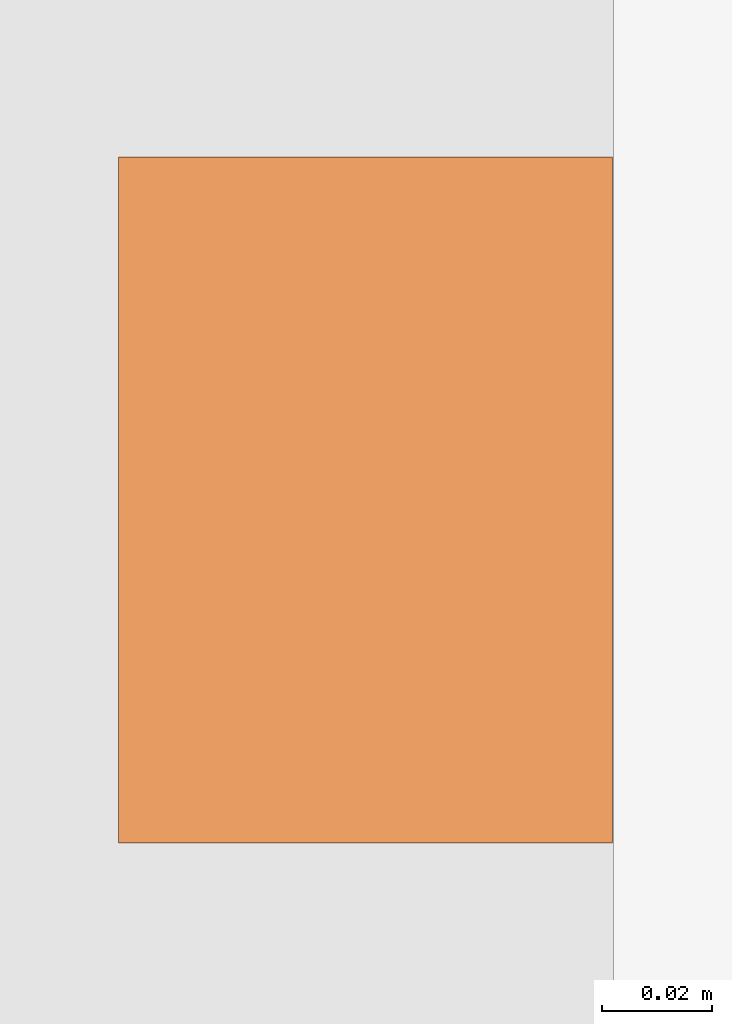
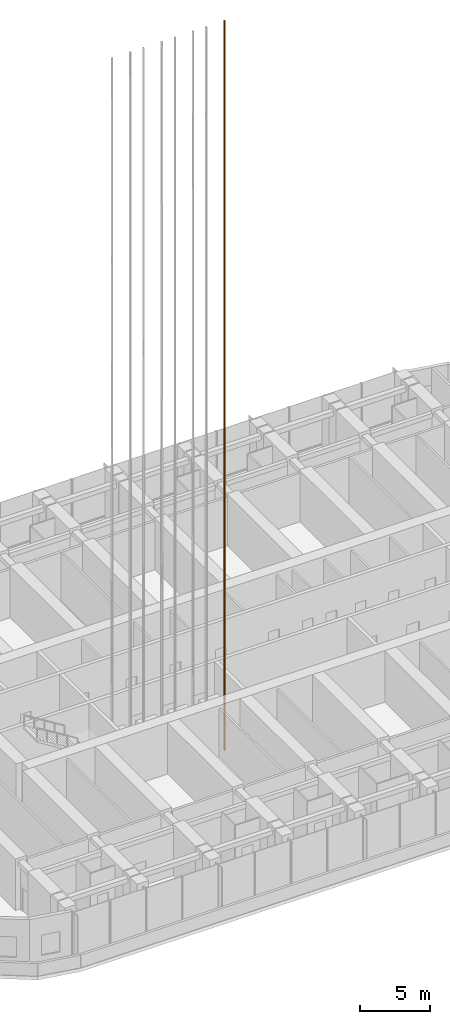
# One storey, part 31 of 31: 1 proxy.
"""IFC4 building model written with IfcOpenShell, lengths in metres."""

from ifc_helpers import new_model, si_unit, direction, frame, origin, origin_2d, place, context, subcontext, project, spatial, rectangle, extrude, material, element, save


model = new_model("IFC4")

# Units and contexts
model_context = context("Model", 3, precision=1e-05, world=origin(), true_north=direction((0.0, 1.0)))
body_context = subcontext(model_context, "Body", "Model", "MODEL_VIEW")
ifc_project = project(units=[si_unit("LENGTHUNIT", "METRE"), si_unit("AREAUNIT", "SQUARE_METRE"), si_unit("VOLUMEUNIT", "CUBIC_METRE"), si_unit("PLANEANGLEUNIT", "RADIAN"), si_unit("MASSUNIT", "GRAM", prefix="KILO")], contexts=[model_context])

# Site, building, storey
site_placement = place(None, origin())
site = spatial("IfcSite", under=ifc_project, at=site_placement, CompositionType="ELEMENT")
building_placement = place(site_placement, origin())
building = spatial("IfcBuilding", under=site, at=building_placement, Name="Orbita Commons", CompositionType="ELEMENT")
storey_placement = place(building_placement, frame((0.0, 0.0, 76.14990234375)))
storey = spatial("IfcBuildingStorey", under=building, at=storey_placement, Name="L18", CompositionType="ELEMENT", Elevation=76.14990234375)

# Proxy
ifc_material = material(Name="Machined steel guide rail", Category="steel")
placement = place(storey_placement, frame((35.10009765625, 28.10009765625, 0.0), z_axis=(0.0, 0.0, 1.0), x_axis=(1.0, 0.0, 0.0)))
proxy_placement = place(placement, frame((0.7548828125, 0.0, -1.800048828125)))
element("IfcBuildingElementProxy", 1, at=proxy_placement, inside=storey, material=ifc_material, Name="P24 guide rail 2", ObjectType="GUIDE RAIL", PredefinedType="USERDEFINED", context=body_context, shape_type="SweptSolid", body=[
    extrude(rectangle(XDim=0.09, YDim=0.125, at=origin_2d()), origin(), (0.0, 0.0, 1.0), 63.89990234375),
])

save(model, "model.ifc")
